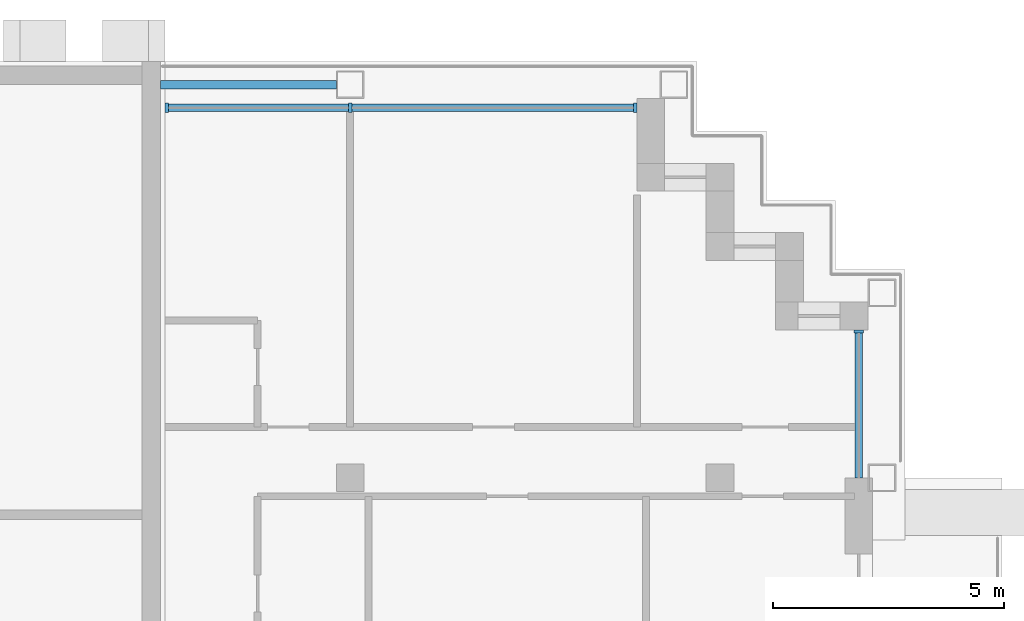
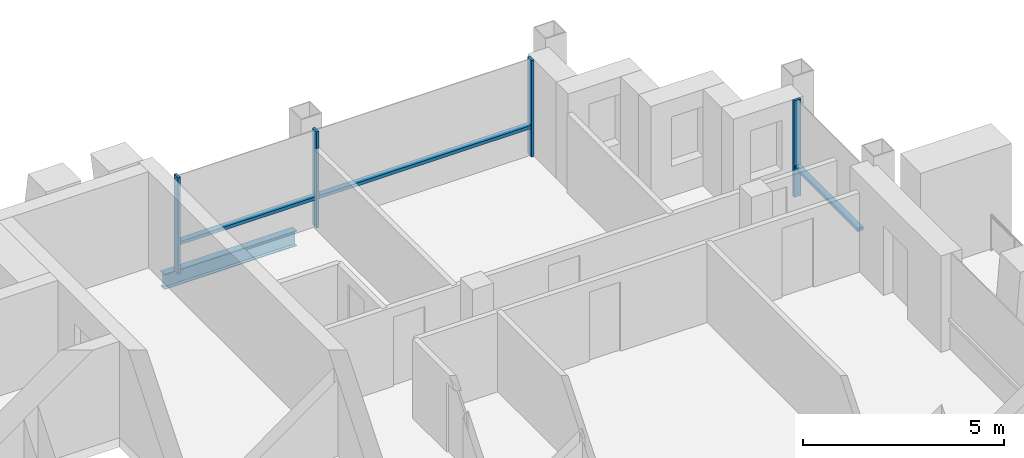
# One storey, part 5 of 16: 7 members, 1 beam, 2 elements without a shape of their own.
"""IFC4 building model written with IfcOpenShell, lengths in metres."""

from ifc_helpers import new_model, si_unit, direction, frame, origin, origin_2d, place, context, subcontext, project, spatial, rectangle, i_section, extrude, material, material_profile, profile_set, type_object, element, aggregate, save


model = new_model("IFC4")

# Units and contexts
model_context = context("Model", 3, precision=1e-05, world=origin(), true_north=direction((0.0, 1.0)))
body_context = subcontext(model_context, "Body", "Model", "MODEL_VIEW")
ifc_project = project(units=[si_unit("LENGTHUNIT", "METRE"), si_unit("AREAUNIT", "SQUARE_METRE"), si_unit("VOLUMEUNIT", "CUBIC_METRE"), si_unit("PLANEANGLEUNIT", "RADIAN"), si_unit("MASSUNIT", "GRAM", prefix="KILO")], contexts=[model_context])

# Site, building, storey
site_placement = place(None, origin())
site = spatial("IfcSite", under=ifc_project, at=site_placement, CompositionType="ELEMENT")
building_placement = place(site_placement, origin())
building = spatial("IfcBuilding", under=site, at=building_placement, Name="Vidyagriha Tower", CompositionType="ELEMENT")
storey_placement = place(building_placement, frame((0.0, 0.0, 207.60009765625)))
storey = spatial("IfcBuildingStorey", under=building, at=storey_placement, Name="L53", CompositionType="ELEMENT", Elevation=207.60009765625)

# Beam
ifc_material_1 = material(Name="Steel ASTM A992 Grade 50", Category="steel")
ifc_material_profile_1 = material_profile(ifc_material_1, i_section(OverallWidth=0.19189453125, OverallDepth=0.46240234375, WebThickness=0.010498046875, FlangeThickness=0.017578125, at=origin_2d()), Name="W18X60")
ifc_profile_set_1 = profile_set([ifc_material_profile_1], Name="Steel ASTM A992 Grade 50")
beam_type = type_object("IfcBeamType", Name="Edge beam W18X60", PredefinedType="SPANDREL", material=ifc_profile_set_1)
beam_placement = place(storey_placement, frame((13.89990234375, 19.5, -0.51123046875), z_axis=(1.0, 0.0, 0.0), x_axis=(0.0, 1.0, 0.0)))
element("IfcBeam", 1, at=beam_placement, inside=storey, type_object=beam_type, Name="st-beam-L53-NC07", PredefinedType="SPANDREL", context=body_context, shape_type="SweptSolid", body=[
    extrude(i_section(OverallWidth=0.19189453125, OverallDepth=0.46240234375, WebThickness=0.010498046875, FlangeThickness=0.017578125, at=origin_2d()), origin(), (0.0, 0.0, 1.0), 3.800048828125),
])

# Curtain wall, members
ifc_material_2 = material(Name="Aluminium and glass curtain wall", Category="aluminium")
curtain_wall_type = type_object("IfcCurtainWallType", Name="Dwelling skin unitised curtain wall", PredefinedType="USERDEFINED", material=ifc_material_2)
curtain_wall_1_placement = place(storey_placement, origin())
curtain_wall_1 = element("IfcCurtainWall", 2, at=curtain_wall_1_placement, inside=storey, type_object=curtain_wall_type, Name="CW1 dwelling skin", ObjectType="UNITISED", PredefinedType="USERDEFINED")
ifc_material_3 = material(Name="Aluminium black anodised", Category="aluminium")
ifc_material_profile_2 = material_profile(ifc_material_3, rectangle(XDim=0.199951171875, YDim=0.070068359375, at=origin_2d()), Name="Mullion 70x200 black aluminium")
ifc_profile_set_2 = profile_set([ifc_material_profile_2], Name="Aluminium black anodised")
member_type_1 = type_object("IfcMemberType", Name="Mullion 70x200 black aluminium", PredefinedType="MULLION", material=ifc_profile_set_2)
member_1_placement = place(storey_placement, frame((24.1650390625, 19.0, 0.0), z_axis=(0.0, 0.0, 1.0), x_axis=(0.0, -1.0, 0.0)))
member_1 = element("IfcMember", 3, at=member_1_placement, type_object=member_type_1, Name="CW1 mullion 1", PredefinedType="MULLION", context=body_context, shape_type="SweptSolid", body=[
    extrude(rectangle(XDim=0.199951171875, YDim=0.070068359375, at=origin_2d()), origin(), (0.0, 0.0, 1.0), 2.919921875),
])
member_2_placement = place(storey_placement, frame((18.0, 19.0, 0.0), z_axis=(0.0, 0.0, 1.0), x_axis=(0.0, -1.0, 0.0)))
member_2 = element("IfcMember", 4, at=member_2_placement, type_object=member_type_1, Name="CW1 mullion 2", PredefinedType="MULLION", context=body_context, shape_type="SweptSolid", body=[
    extrude(rectangle(XDim=0.199951171875, YDim=0.070068359375, at=origin_2d()), origin(), (0.0, 0.0, 1.0), 2.919921875),
])
member_3_placement = place(storey_placement, frame((14.034912109375, 19.0, 0.0), z_axis=(0.0, 0.0, 1.0), x_axis=(0.0, -1.0, 0.0)))
member_3 = element("IfcMember", 5, at=member_3_placement, type_object=member_type_1, Name="CW1 mullion 3", PredefinedType="MULLION", context=body_context, shape_type="SweptSolid", body=[
    extrude(rectangle(XDim=0.199951171875, YDim=0.070068359375, at=origin_2d()), origin(), (0.0, 0.0, 1.0), 2.919921875),
])

# Curtain wall, member
curtain_wall_2_placement = place(storey_placement, origin())
curtain_wall_2 = element("IfcCurtainWall", 6, at=curtain_wall_2_placement, inside=storey, type_object=curtain_wall_type, Name="CW1 dwelling skin", ObjectType="UNITISED", PredefinedType="USERDEFINED")
member_4_placement = place(storey_placement, frame((29.0, 14.1650390625, 0.0), z_axis=(0.0, 0.0, 1.0), x_axis=(-1.0, 0.0, 0.0)))
member_4 = element("IfcMember", 7, at=member_4_placement, type_object=member_type_1, Name="CW1 mullion 2", PredefinedType="MULLION", context=body_context, shape_type="SweptSolid", body=[
    extrude(rectangle(XDim=0.199951171875, YDim=0.070068359375, at=origin_2d()), origin(), (0.0, 0.0, 1.0), 2.919921875),
])

# Member
ifc_material_4 = material(Name="Aluminium black anodised", Category="aluminium")
ifc_material_profile_3 = material_profile(ifc_material_4, rectangle(XDim=0.159912109375, YDim=0.10009765625, at=origin_2d()), Name="Transom 100x160 black aluminium")
ifc_profile_set_3 = profile_set([ifc_material_profile_3], Name="Aluminium black anodised")
member_type_2 = type_object("IfcMemberType", Name="Transom 100x160 black aluminium", PredefinedType="USERDEFINED", material=ifc_profile_set_3)
member_5_placement = place(storey_placement, frame((24.1298828125, 19.0, 0.89990234375), z_axis=(-1.0, 0.0, 0.0), x_axis=(0.0, -1.0, 0.0)))
member_5 = element("IfcMember", 8, at=member_5_placement, type_object=member_type_2, Name="CW1 transom 1.1", ObjectType="TRANSOM", PredefinedType="USERDEFINED", context=body_context, shape_type="SweptSolid", body=[
    extrude(rectangle(XDim=0.159912109375, YDim=0.10009765625, at=origin_2d()), origin(), (0.0, 0.0, 1.0), 6.094970703125),
])

member_6_placement = place(storey_placement, frame((17.965087890625, 19.0, 0.89990234375), z_axis=(-1.0, 0.0, 0.0), x_axis=(0.0, -1.0, 0.0)))
member_6 = element("IfcMember", 9, at=member_6_placement, type_object=member_type_2, Name="CW1 transom 2.1", ObjectType="TRANSOM", PredefinedType="USERDEFINED", context=body_context, shape_type="SweptSolid", body=[
    extrude(rectangle(XDim=0.159912109375, YDim=0.10009765625, at=origin_2d()), origin(), (0.0, 0.0, 1.0), 3.89501953125),
])

aggregate(curtain_wall_1, [member_1, member_2, member_3, member_5, member_6])

member_7_placement = place(storey_placement, frame((29.0, 11.0, 0.89990234375), z_axis=(0.0, 1.0, 0.0), x_axis=(-1.0, 0.0, 0.0)))
member_7 = element("IfcMember", 10, at=member_7_placement, type_object=member_type_2, Name="CW1 transom 1.1", ObjectType="TRANSOM", PredefinedType="USERDEFINED", context=body_context, shape_type="SweptSolid", body=[
    extrude(rectangle(XDim=0.159912109375, YDim=0.10009765625, at=origin_2d()), origin(), (0.0, 0.0, 1.0), 3.1298828125),
])

aggregate(curtain_wall_2, [member_4, member_7])

save(model, "model.ifc")
